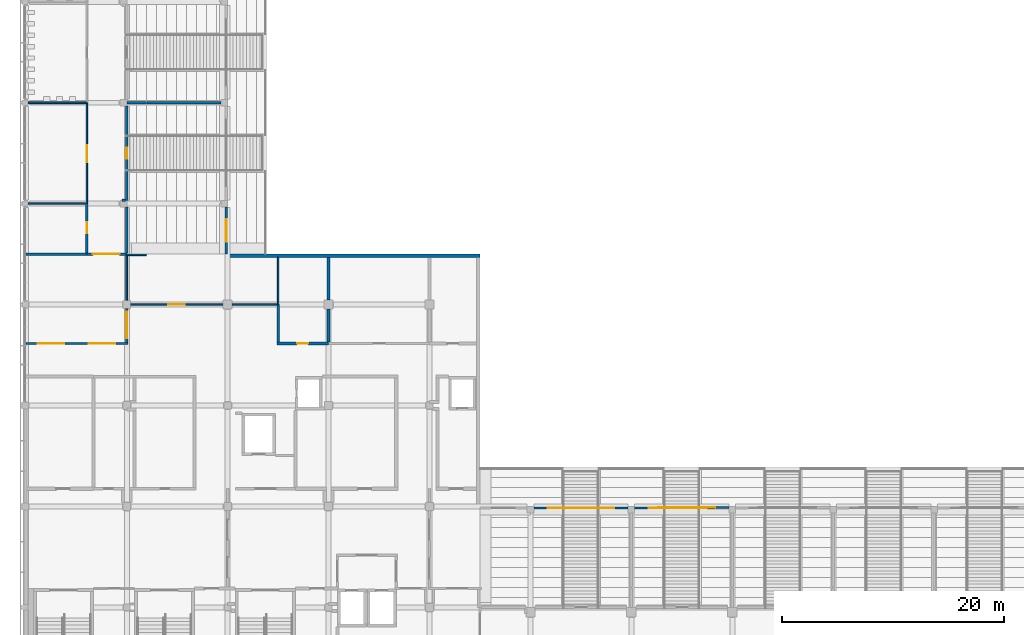
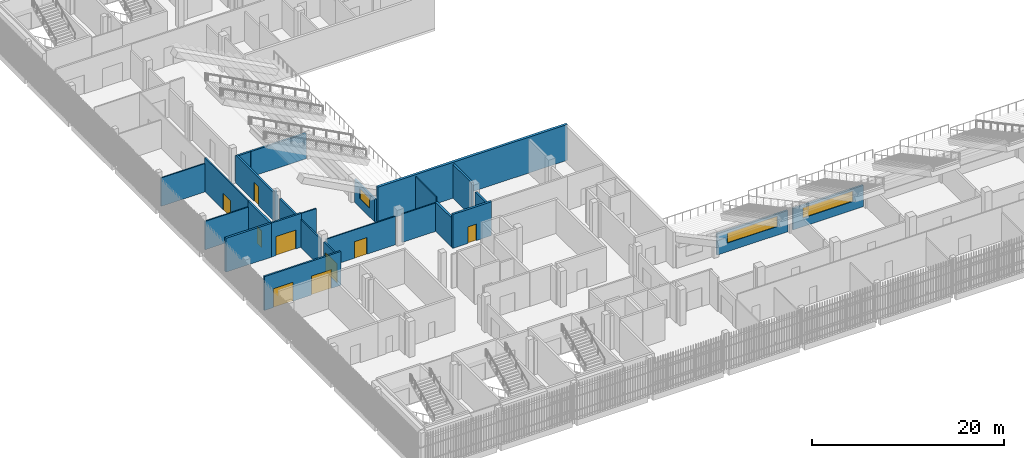
# One storey, part 76 of 139: 26 walls, 9 doors, 3 windows, 12 openings.
"""IFC4 building model written with IfcOpenShell, lengths in metres."""

from ifc_helpers import new_model, si_unit, direction, frame, frame_2d, origin, place, context, subcontext, project, spatial, rectangle, extrude, material, layer, layer_set, type_object, element, fill, save


model = new_model("IFC4")

# Units and contexts
model_context = context("Model", 3, precision=1e-05, world=origin(), true_north=direction((0.0, 1.0)))
body_context = subcontext(model_context, "Body", "Model", "MODEL_VIEW")
ifc_project = project(units=[si_unit("LENGTHUNIT", "METRE"), si_unit("AREAUNIT", "SQUARE_METRE"), si_unit("VOLUMEUNIT", "CUBIC_METRE"), si_unit("PLANEANGLEUNIT", "RADIAN"), si_unit("MASSUNIT", "GRAM", prefix="KILO")], contexts=[model_context])

# Site, building, storey
site_placement = place(None, origin())
site = spatial("IfcSite", under=ifc_project, at=site_placement, CompositionType="ELEMENT")
building_placement = place(site_placement, origin())
building = spatial("IfcBuilding", under=site, at=building_placement, Name="Shirokan Park Arena", CompositionType="ELEMENT")
storey_placement = place(building_placement, frame((0.0, 0.0, 15.469970703125)))
storey = spatial("IfcBuildingStorey", under=building, at=storey_placement, Name="L03", CompositionType="ELEMENT", Elevation=15.469970703125)

# Wall, opening, window
ifc_material_1 = material(Name="Cedar timber lining", Category="wood")
ifc_layer_1 = layer(ifc_material_1, 0.02001953125, Name="Cedar timber lining")
ifc_material_2 = material(Name="Plywood", Category="wood")
ifc_layer_2 = layer(ifc_material_2, 0.01806640625, Name="Plywood")
ifc_material_3 = material(Name="Mineral wool insulation")
ifc_layer_3 = layer(ifc_material_3, 0.14208984375, Name="Mineral wool insulation")
ifc_material_4 = material(Name="Gypsum board")
ifc_layer_4 = layer(ifc_material_4, 0.02001953125, Name="Gypsum board")
ifc_layer_set_1 = layer_set([ifc_layer_1, ifc_layer_2, ifc_layer_3, ifc_layer_4], Name="Cedar timber lining + Plywood + Mineral wool insulation + Gypsum board")
wall_type_1 = type_object("IfcWallType", Name="Bowl front wall 200", PredefinedType="PARTITIONING", material=ifc_layer_set_1)
wall_1_placement = place(storey_placement, frame((45.800048828125, 18.070068359375, 0.0), z_axis=(0.0, 0.0, 1.0), x_axis=(1.0, 0.0, 0.0)))
wall_1 = element("IfcWall", 1, at=wall_1_placement, inside=storey, type_object=wall_type_1, Name="Bowl front wall 200 L03", PredefinedType="PARTITIONING", context=body_context, shape_type="SweptSolid", body=[
    extrude(rectangle(XDim=8.5, YDim=0.199951171875, at=frame_2d((4.25, 0.0))), origin(), (0.0, 0.0, 1.0), 2.7099609375),
])
opening_1_placement = place(wall_1_placement, frame((1.25, 0.0, 1.10009765625)))
opening_1 = element("IfcOpeningElement", 2, at=opening_1_placement, cuts=wall_1, Name="Opening W8", PredefinedType="OPENING", context=body_context, shape_type="SweptSolid", body=[
    extrude(rectangle(XDim=6.0, YDim=1.300048828125, at=frame_2d((3.0, 0.64990234375))), frame((0.0, 0.10986328125, 0.0), z_axis=(0.0, -1.0, 0.0), x_axis=(1.0, 0.0, 0.0)), (0.0, 0.0, 1.0), 0.219970703125),
])
ifc_material_5 = material(Name="Aluminium frame with laminated glass", Category="aluminium")
window_type_1 = type_object("IfcWindowType", Name="Suite viewing window 6000 x 1300", PartitioningType="SINGLE_PANEL", PredefinedType="WINDOW", material=ifc_material_5)
window_1_placement = place(opening_1_placement, origin())
window_1 = element("IfcWindow", 3, at=window_1_placement, inside=storey, type_object=window_type_1, Name="Suite viewing window 6000 x 1300 L03", OverallHeight=1.300048828125, OverallWidth=6.0, PartitioningType="SINGLE_PANEL", PredefinedType="WINDOW", context=body_context, shape_type="SweptSolid", body=[
    extrude(rectangle(XDim=6.0, YDim=1.300048828125, at=frame_2d((3.0, 0.64990234375))), frame((0.0, 0.030029296875, 0.0), z_axis=(0.0, -1.0, 0.0), x_axis=(1.0, 0.0, 0.0)), (0.0, 0.0, 1.0), 0.06005859375),
])
fill(opening_1, window_1)

wall_2_placement = place(storey_placement, frame((54.89990234375, 18.071044921875, 0.0), z_axis=(0.0, 0.0, 1.0), x_axis=(0.999994544879, 0.003303061025, 0.0)))
wall_2 = element("IfcWall", 4, at=wall_2_placement, inside=storey, type_object=wall_type_1, Name="Bowl front wall 200 L03", PredefinedType="PARTITIONING", context=body_context, shape_type="SweptSolid", body=[
    extrude(rectangle(XDim=8.5, YDim=0.199951171875, at=frame_2d((4.25, 0.0))), origin(), (0.0, 0.0, 1.0), 2.7099609375),
])
opening_2_placement = place(wall_2_placement, frame((1.25, 0.0, 1.10009765625)))
opening_2 = element("IfcOpeningElement", 5, at=opening_2_placement, cuts=wall_2, Name="Opening W8", PredefinedType="OPENING", context=body_context, shape_type="SweptSolid", body=[
    extrude(rectangle(XDim=6.0, YDim=1.300048828125, at=frame_2d((3.0, 0.64990234375))), frame((0.0, 0.10986328125, 0.0), z_axis=(0.0, -1.0, 0.0), x_axis=(1.0, 0.0, 0.0)), (0.0, 0.0, 1.0), 0.219970703125),
])
window_2_placement = place(opening_2_placement, origin())
window_2 = element("IfcWindow", 6, at=window_2_placement, inside=storey, type_object=window_type_1, Name="Suite viewing window 6000 x 1300 L03", OverallHeight=1.300048828125, OverallWidth=6.0, PartitioningType="SINGLE_PANEL", PredefinedType="WINDOW", context=body_context, shape_type="SweptSolid", body=[
    extrude(rectangle(XDim=6.0, YDim=1.300048828125, at=frame_2d((3.0, 0.64990234375))), frame((0.0, 0.030029296875, 0.0), z_axis=(0.0, -1.0, 0.0), x_axis=(1.0, 0.0, 0.0)), (0.0, 0.0, 1.0), 0.06005859375),
])
fill(opening_2, window_2)

wall_3_placement = place(storey_placement, frame((18.070068359375, 45.199951171875, 0.0), z_axis=(0.0, 0.0, 1.0), x_axis=(0.0, -1.0, 0.0)))
wall_3 = element("IfcWall", 7, at=wall_3_placement, inside=storey, type_object=wall_type_1, Name="Bowl front wall 200 L03", PredefinedType="PARTITIONING", context=body_context, shape_type="SweptSolid", body=[
    extrude(rectangle(XDim=4.25, YDim=0.199951171875, at=frame_2d((2.125, 0.0))), origin(), (0.0, 0.0, 1.0), 2.909912109375),
])
opening_3_placement = place(wall_3_placement, frame((1.125, 0.0, 1.10009765625)))
opening_3 = element("IfcOpeningElement", 8, at=opening_3_placement, cuts=wall_3, Name="Opening W7", PredefinedType="OPENING", context=body_context, shape_type="SweptSolid", body=[
    extrude(rectangle(XDim=2.0, YDim=1.300048828125, at=frame_2d((1.0, 0.64990234375))), frame((0.0, 0.10986328125, 0.0), z_axis=(0.0, -1.0, 0.0), x_axis=(1.0, 0.0, 0.0)), (0.0, 0.0, 1.0), 0.219970703125),
])
window_type_2 = type_object("IfcWindowType", Name="Suite viewing window 2000 x 1300", PartitioningType="SINGLE_PANEL", PredefinedType="WINDOW", material=ifc_material_5)
window_3_placement = place(opening_3_placement, origin())
window_3 = element("IfcWindow", 9, at=window_3_placement, inside=storey, type_object=window_type_2, Name="Suite viewing window 2000 x 1300 L03", OverallHeight=1.300048828125, OverallWidth=2.0, PartitioningType="SINGLE_PANEL", PredefinedType="WINDOW", context=body_context, shape_type="SweptSolid", body=[
    extrude(rectangle(XDim=2.0, YDim=1.300048828125, at=frame_2d((1.0, 0.64990234375))), frame((0.0, 0.030029296875, 0.0), z_axis=(0.0, -1.0, 0.0), x_axis=(1.0, 0.0, 0.0)), (0.0, 0.0, 1.0), 0.06005859375),
])
fill(opening_3, window_3)

# Wall
ifc_material_6 = material(Name="Plaster")
ifc_layer_5 = layer(ifc_material_6, 0.014892578125, Name="Plaster")
ifc_material_7 = material(Name="Concrete blockwork", Category="masonry")
ifc_layer_6 = layer(ifc_material_7, 0.219970703125, Name="Concrete blockwork 220")
ifc_layer_7 = layer(ifc_material_6, 0.014892578125, Name="Plaster")
ifc_layer_set_2 = layer_set([ifc_layer_5, ifc_layer_6, ifc_layer_7], Name="Plaster + Concrete blockwork 220")
wall_type_2 = type_object("IfcWallType", Name="Compartment wall 250", PredefinedType="SOLIDWALL", material=ifc_layer_set_2)
wall_4_placement = place(storey_placement, frame((0.030029296875, 40.949951171875, 0.0), z_axis=(0.0, 0.0, 1.0), x_axis=(1.0, 0.0, 0.0)))
element("IfcWall", 10, at=wall_4_placement, inside=storey, type_object=wall_type_2, Name="Compartment wall 250 L03", PredefinedType="SOLIDWALL", context=body_context, shape_type="SweptSolid", body=[
    extrude(rectangle(XDim=5.469970703125, YDim=0.25, at=frame_2d((2.73486328125, 0.0))), origin(), (0.0, 0.0, 1.0), 4.300048828125),
])

# Wall, opening, door
wall_5_placement = place(storey_placement, frame((5.5, 41.074951171875, 0.0), z_axis=(0.0, 0.0, 1.0), x_axis=(0.0, 1.0, 0.0)))
wall_5 = element("IfcWall", 11, at=wall_5_placement, inside=storey, type_object=wall_type_2, Name="Compartment wall 250 L03", PredefinedType="SOLIDWALL", context=body_context, shape_type="SweptSolid", body=[
    extrude(rectangle(XDim=4.425048828125, YDim=0.25, at=frame_2d((2.21240234375, 0.0))), origin(), (0.0, 0.0, 1.0), 4.300048828125),
])
opening_4_placement = place(wall_5_placement, frame((1.75, 0.0, 0.0)))
opening_4 = element("IfcOpeningElement", 12, at=opening_4_placement, cuts=wall_5, Name="Opening D-3075", PredefinedType="OPENING", context=body_context, shape_type="SweptSolid", body=[
    extrude(rectangle(XDim=1.0, YDim=2.10009765625, at=frame_2d((0.5, 1.050048828125))), frame((0.0, 0.135009765625, 0.0), z_axis=(0.0, -1.0, 0.0), x_axis=(1.0, 0.0, 0.0)), (0.0, 0.0, 1.0), 0.27001953125),
])
ifc_material_8 = material(Name="Timber door set, fire resisting", Category="wood")
door_type_1 = type_object("IfcDoorType", Name="Door 1000 x 2100", OperationType="SINGLE_SWING_LEFT", PredefinedType="DOOR", material=ifc_material_8)
door_1_placement = place(opening_4_placement, origin())
door_1 = element("IfcDoor", 13, at=door_1_placement, inside=storey, type_object=door_type_1, Name="Door to Hospitality Store 3.41 D-3075", OperationType="SINGLE_SWING_LEFT", OverallHeight=2.10009765625, OverallWidth=1.0, PredefinedType="DOOR", context=body_context, shape_type="SweptSolid", body=[
    extrude(rectangle(XDim=1.0, YDim=2.10009765625, at=frame_2d((0.5, 1.050048828125))), frame((0.0, 0.02490234375, 0.0), z_axis=(0.0, -1.0, 0.0), x_axis=(1.0, 0.0, 0.0)), (0.0, 0.0, 1.0), 0.050048828125),
])
fill(opening_4, door_1)

# Wall
wall_6_placement = place(storey_placement, frame((22.75, 33.02490234375, 0.0), z_axis=(0.0, 0.0, 1.0), x_axis=(0.0, 1.0, 0.0)))
element("IfcWall", 14, at=wall_6_placement, inside=storey, type_object=wall_type_2, Name="Compartment wall 250 L03", PredefinedType="SOLIDWALL", context=body_context, shape_type="SweptSolid", body=[
    extrude(rectangle(XDim=3.375, YDim=0.25, at=frame_2d((1.6875, 0.0))), origin(), (0.0, 0.0, 1.0), 3.699951171875),
])

# Wall, opening, door
wall_7_placement = place(storey_placement, frame((27.300048828125, 32.89990234375, 0.0), z_axis=(0.0, 0.0, 1.0), x_axis=(-1.0, 0.0, 0.0)))
wall_7 = element("IfcWall", 15, at=wall_7_placement, inside=storey, type_object=wall_type_2, Name="Compartment wall 250 L03", PredefinedType="SOLIDWALL", context=body_context, shape_type="SweptSolid", body=[
    extrude(rectangle(XDim=4.675048828125, YDim=0.25, at=frame_2d((2.33740234375, 0.0))), origin(), (0.0, 0.0, 1.0), 4.300048828125),
])
opening_5_placement = place(wall_7_placement, frame((1.85009765625, 0.0, 0.0)))
opening_5 = element("IfcOpeningElement", 16, at=opening_5_placement, cuts=wall_7, Name="Opening D-3010", PredefinedType="OPENING", context=body_context, shape_type="SweptSolid", body=[
    extrude(rectangle(XDim=1.0, YDim=2.10009765625, at=frame_2d((0.5, 1.050048828125))), frame((0.0, 0.135009765625, 0.0), z_axis=(0.0, -1.0, 0.0), x_axis=(1.0, 0.0, 0.0)), (0.0, 0.0, 1.0), 0.27001953125),
])
door_2_placement = place(opening_5_placement, origin())
door_2 = element("IfcDoor", 17, at=door_2_placement, inside=storey, type_object=door_type_1, Name="Door to Suite Linen Store 3.12 D-3010", OperationType="SINGLE_SWING_RIGHT", OverallHeight=2.10009765625, OverallWidth=1.0, PredefinedType="DOOR", context=body_context, shape_type="SweptSolid", body=[
    extrude(rectangle(XDim=1.0, YDim=2.10009765625, at=frame_2d((0.5, 1.050048828125))), frame((0.0, 0.02490234375, 0.0), z_axis=(0.0, -1.0, 0.0), x_axis=(1.0, 0.0, 0.0)), (0.0, 0.0, 1.0), 0.050048828125),
])
fill(opening_5, door_2)

# Walls
wall_8_placement = place(storey_placement, frame((27.300048828125, 36.0, 0.0), z_axis=(0.0, 0.0, 1.0), x_axis=(0.0, -1.0, 0.0)))
element("IfcWall", 18, at=wall_8_placement, inside=storey, type_object=wall_type_2, Name="Compartment wall 250 L03", PredefinedType="SOLIDWALL", context=body_context, shape_type="SweptSolid", body=[
    extrude(rectangle(XDim=2.97509765625, YDim=0.25, at=frame_2d((1.487548828125, 0.0))), origin(), (0.0, 0.0, 1.0), 3.60009765625),
])
wall_9_placement = place(storey_placement, frame((27.300048828125, 40.64990234375, 0.0), z_axis=(0.0, 0.0, 1.0), x_axis=(0.0, -1.0, 0.0)))
element("IfcWall", 19, at=wall_9_placement, inside=storey, type_object=wall_type_2, Name="Compartment wall 250 L03", PredefinedType="SOLIDWALL", context=body_context, shape_type="SweptSolid", body=[
    extrude(rectangle(XDim=3.849853515625, YDim=0.25, at=frame_2d((1.9248046875, 0.0))), origin(), (0.0, 0.0, 1.0), 4.300048828125),
])

# Wall, openings, doors
ifc_layer_8 = layer(ifc_material_4, 0.02490234375, Name="Gypsum board, two layers")
ifc_layer_9 = layer(ifc_material_3, 0.14990234375, Name="Mineral wool insulation")
ifc_layer_10 = layer(ifc_material_4, 0.02490234375, Name="Gypsum board, two layers")
ifc_layer_set_3 = layer_set([ifc_layer_8, ifc_layer_9, ifc_layer_10], Name="Gypsum board, two layers + Mineral wool insulation")
wall_type_3 = type_object("IfcWallType", Name="Corridor wall 200", PredefinedType="PARTITIONING", material=ifc_layer_set_3)
wall_10_placement = place(storey_placement, frame((0.030029296875, 32.89990234375, 0.0), z_axis=(0.0, 0.0, 1.0), x_axis=(1.0, 0.0, 0.0)))
wall_10 = element("IfcWall", 20, at=wall_10_placement, inside=storey, type_object=wall_type_3, Name="Corridor wall 200 L03", PredefinedType="PARTITIONING", context=body_context, shape_type="SweptSolid", body=[
    extrude(rectangle(XDim=9.169921875, YDim=0.199951171875, at=frame_2d((4.5849609375, 0.0))), origin(), (0.0, 0.0, 1.0), 4.300048828125),
])
opening_6_placement = place(wall_10_placement, frame((1.050048828125, 0.0, 0.0)))
opening_6 = element("IfcOpeningElement", 21, at=opening_6_placement, cuts=wall_10, Name="Opening D-3081", PredefinedType="OPENING", context=body_context, shape_type="SweptSolid", body=[
    extrude(rectangle(XDim=2.39990234375, YDim=2.39990234375, at=frame_2d((1.199951171875, 1.199951171875))), frame((0.0, 0.10986328125, 0.0), z_axis=(0.0, -1.0, 0.0), x_axis=(1.0, 0.0, 0.0)), (0.0, 0.0, 1.0), 0.219970703125),
])
opening_7_placement = place(wall_10_placement, frame((5.64990234375, 0.0, 0.0)))
opening_7 = element("IfcOpeningElement", 22, at=opening_7_placement, cuts=wall_10, Name="Opening D-3082", PredefinedType="OPENING", context=body_context, shape_type="SweptSolid", body=[
    extrude(rectangle(XDim=2.39990234375, YDim=2.39990234375, at=frame_2d((1.199951171875, 1.199951171875))), frame((0.0, 0.10986328125, 0.0), z_axis=(0.0, -1.0, 0.0), x_axis=(1.0, 0.0, 0.0)), (0.0, 0.0, 1.0), 0.219970703125),
])
ifc_material_9 = material(Name="Steel door set, fire resisting", Category="steel")
door_type_2 = type_object("IfcDoorType", Name="Double door 2400 x 2400", OperationType="DOUBLE_DOOR_SINGLE_SWING", PredefinedType="DOOR", material=ifc_material_9)
door_3_placement = place(opening_6_placement, origin())
door_3 = element("IfcDoor", 23, at=door_3_placement, inside=storey, type_object=door_type_2, Name="Door between Service Corridor 1.3 and Concourse Link 1.3 D-3081", OperationType="DOUBLE_DOOR_SINGLE_SWING", OverallHeight=2.39990234375, OverallWidth=2.39990234375, PredefinedType="DOOR", context=body_context, shape_type="SweptSolid", body=[
    extrude(rectangle(XDim=2.39990234375, YDim=2.39990234375, at=frame_2d((1.199951171875, 1.199951171875))), frame((0.0, 0.02490234375, 0.0), z_axis=(0.0, -1.0, 0.0), x_axis=(1.0, 0.0, 0.0)), (0.0, 0.0, 1.0), 0.050048828125),
])
fill(opening_6, door_3)
door_4_placement = place(opening_7_placement, origin())
door_4 = element("IfcDoor", 24, at=door_4_placement, inside=storey, type_object=door_type_2, Name="Door between Service Corridor 1.3 and Concourse Link 1.3 D-3082", OperationType="DOUBLE_DOOR_SINGLE_SWING", OverallHeight=2.39990234375, OverallWidth=2.39990234375, PredefinedType="DOOR", context=body_context, shape_type="SweptSolid", body=[
    extrude(rectangle(XDim=2.39990234375, YDim=2.39990234375, at=frame_2d((1.199951171875, 1.199951171875))), frame((0.0, 0.02490234375, 0.0), z_axis=(0.0, -1.0, 0.0), x_axis=(1.0, 0.0, 0.0)), (0.0, 0.0, 1.0), 0.050048828125),
])
fill(opening_7, door_4)

# Wall, opening, door
wall_11_placement = place(storey_placement, frame((5.5, 40.949951171875, 0.0), z_axis=(0.0, 0.0, 1.0), x_axis=(1.0, 0.0, 0.0)))
wall_11 = element("IfcWall", 25, at=wall_11_placement, inside=storey, type_object=wall_type_3, Name="Corridor wall 200 L03", PredefinedType="PARTITIONING", context=body_context, shape_type="SweptSolid", body=[
    extrude(rectangle(XDim=3.60009765625, YDim=0.199951171875, at=frame_2d((1.800048828125, 0.0))), origin(), (0.0, 0.0, 1.0), 4.300048828125),
])
opening_8_placement = place(wall_11_placement, frame((0.550048828125, 0.0, 0.0)))
opening_8 = element("IfcOpeningElement", 26, at=opening_8_placement, cuts=wall_11, Name="Opening D-3094", PredefinedType="OPENING", context=body_context, shape_type="SweptSolid", body=[
    extrude(rectangle(XDim=2.39990234375, YDim=2.39990234375, at=frame_2d((1.199951171875, 1.199951171875))), frame((0.0, 0.10986328125, 0.0), z_axis=(0.0, -1.0, 0.0), x_axis=(1.0, 0.0, 0.0)), (0.0, 0.0, 1.0), 0.219970703125),
])
door_5_placement = place(opening_8_placement, origin())
door_5 = element("IfcDoor", 27, at=door_5_placement, inside=storey, type_object=door_type_2, Name="Door between Concourse Link 1.3 and Suite Corridor 3.04 D-3094", OperationType="DOUBLE_DOOR_SINGLE_SWING", OverallHeight=2.39990234375, OverallWidth=2.39990234375, PredefinedType="DOOR", context=body_context, shape_type="SweptSolid", body=[
    extrude(rectangle(XDim=2.39990234375, YDim=2.39990234375, at=frame_2d((1.199951171875, 1.199951171875))), frame((0.0, 0.02490234375, 0.0), z_axis=(0.0, -1.0, 0.0), x_axis=(1.0, 0.0, 0.0)), (0.0, 0.0, 1.0), 0.050048828125),
])
fill(opening_8, door_5)

wall_12_placement = place(storey_placement, frame((9.10009765625, 33.0, 0.0), z_axis=(0.0, 0.0, 1.0), x_axis=(0.0, 1.0, 0.0)))
wall_12 = element("IfcWall", 28, at=wall_12_placement, inside=storey, type_object=wall_type_3, Name="Corridor wall 200 L03", PredefinedType="PARTITIONING", context=body_context, shape_type="SweptSolid", body=[
    extrude(rectangle(XDim=3.050048828125, YDim=0.199951171875, at=frame_2d((1.52490234375, 0.0))), origin(), (0.0, 0.0, 1.0), 3.60009765625),
])
opening_9_placement = place(wall_12_placement, frame((0.35009765625, 0.0, 0.0)))
opening_9 = element("IfcOpeningElement", 29, at=opening_9_placement, cuts=wall_12, Name="Opening D-3083", PredefinedType="OPENING", context=body_context, shape_type="SweptSolid", body=[
    extrude(rectangle(XDim=2.39990234375, YDim=2.39990234375, at=frame_2d((1.199951171875, 1.199951171875))), frame((0.0, 0.10986328125, 0.0), z_axis=(0.0, -1.0, 0.0), x_axis=(1.0, 0.0, 0.0)), (0.0, 0.0, 1.0), 0.219970703125),
])
door_6_placement = place(opening_9_placement, origin())
door_6 = element("IfcDoor", 30, at=door_6_placement, inside=storey, type_object=door_type_2, Name="Door between Service Corridor 1.3 and Concourse Link 1.3 D-3083", OperationType="DOUBLE_DOOR_SINGLE_SWING", OverallHeight=2.39990234375, OverallWidth=2.39990234375, PredefinedType="DOOR", context=body_context, shape_type="SweptSolid", body=[
    extrude(rectangle(XDim=2.39990234375, YDim=2.39990234375, at=frame_2d((1.199951171875, 1.199951171875))), frame((0.0, 0.02490234375, 0.0), z_axis=(0.0, -1.0, 0.0), x_axis=(1.0, 0.0, 0.0)), (0.0, 0.0, 1.0), 0.050048828125),
])
fill(opening_9, door_6)

# Walls
ifc_material_10 = material(Name="Ceramic tile")
ifc_layer_11 = layer(ifc_material_10, 0.010009765625, Name="Ceramic tile")
ifc_material_11 = material(Name="Render")
ifc_layer_12 = layer(ifc_material_11, 0.010009765625, Name="Render")
ifc_layer_13 = layer(ifc_material_7, 0.10009765625, Name="Concrete blockwork 100")
ifc_layer_14 = layer(ifc_material_11, 0.010009765625, Name="Render")
ifc_layer_15 = layer(ifc_material_10, 0.010009765625, Name="Ceramic tile")
ifc_layer_set_4 = layer_set([ifc_layer_11, ifc_layer_12, ifc_layer_13, ifc_layer_14, ifc_layer_15], Name="Ceramic tile + Render + Concrete blockwork 100")
wall_type_4 = type_object("IfcWallType", Name="Kitchen wall 140", PredefinedType="SOLIDWALL", material=ifc_layer_set_4)
wall_13_placement = place(storey_placement, frame((0.175048828125, 45.5, 0.0), z_axis=(0.0, 0.0, 1.0), x_axis=(1.0, 0.0, 0.0)))
element("IfcWall", 31, at=wall_13_placement, inside=storey, type_object=wall_type_4, Name="Kitchen wall 140 L03", PredefinedType="SOLIDWALL", context=body_context, shape_type="SweptSolid", body=[
    extrude(rectangle(XDim=5.199951171875, YDim=0.139892578125, at=frame_2d((2.60009765625, 0.0))), origin(), (0.0, 0.0, 1.0), 3.60009765625),
])
wall_14_placement = place(storey_placement, frame((0.175048828125, 54.60009765625, 0.0), z_axis=(0.0, 0.0, 1.0), x_axis=(1.0, 0.0, 0.0)))
element("IfcWall", 32, at=wall_14_placement, inside=storey, type_object=wall_type_4, Name="Kitchen wall 140 L03", PredefinedType="SOLIDWALL", context=body_context, shape_type="SweptSolid", body=[
    extrude(rectangle(XDim=5.2548828125, YDim=0.139892578125, at=frame_2d((2.62744140625, 0.0))), origin(), (0.0, 0.0, 1.0), 3.60009765625),
])

# Wall, opening, door
wall_15_placement = place(storey_placement, frame((5.5, 45.5, 0.0), z_axis=(0.0, 0.0, 1.0), x_axis=(0.0, 1.0, 0.0)))
wall_15 = element("IfcWall", 33, at=wall_15_placement, inside=storey, type_object=wall_type_4, Name="Kitchen wall 140 L03", PredefinedType="SOLIDWALL", context=body_context, shape_type="SweptSolid", body=[
    extrude(rectangle(XDim=9.10009765625, YDim=0.139892578125, at=frame_2d((4.550048828125, 0.0))), origin(), (0.0, 0.0, 1.0), 4.300048828125),
])
opening_10_placement = place(wall_15_placement, frame((3.75, 0.0, 0.0)))
opening_10 = element("IfcOpeningElement", 34, at=opening_10_placement, cuts=wall_15, Name="Opening D-3076", PredefinedType="OPENING", context=body_context, shape_type="SweptSolid", body=[
    extrude(rectangle(XDim=1.5, YDim=2.10009765625, at=frame_2d((0.75, 1.050048828125))), frame((0.0, 0.079833984375, 0.0), z_axis=(0.0, -1.0, 0.0), x_axis=(1.0, 0.0, 0.0)), (0.0, 0.0, 1.0), 0.159912109375),
])
ifc_material_12 = material(Name="Stainless steel door set, fire resisting", Category="steel")
door_type_3 = type_object("IfcDoorType", Name="Kitchen door 1500 x 2100", OperationType="DOUBLE_DOOR_SINGLE_SWING", PredefinedType="DOOR", material=ifc_material_12)
door_7_placement = place(opening_10_placement, origin())
door_7 = element("IfcDoor", 35, at=door_7_placement, inside=storey, type_object=door_type_3, Name="Door to Suite Pantry 3.42 D-3076", OperationType="DOUBLE_DOOR_SINGLE_SWING", OverallHeight=2.10009765625, OverallWidth=1.5, PredefinedType="DOOR", context=body_context, shape_type="SweptSolid", body=[
    extrude(rectangle(XDim=1.5, YDim=2.10009765625, at=frame_2d((0.75, 1.050048828125))), frame((0.0, 0.02490234375, 0.0), z_axis=(0.0, -1.0, 0.0), x_axis=(1.0, 0.0, 0.0)), (0.0, 0.0, 1.0), 0.050048828125),
])
fill(opening_10, door_7)

# Walls
wall_16_placement = place(storey_placement, frame((9.10009765625, 36.75, 0.0), z_axis=(0.0, 0.0, 1.0), x_axis=(0.0, 1.0, 0.0)))
element("IfcWall", 36, at=wall_16_placement, inside=storey, type_object=wall_type_4, Name="Kitchen wall 140 L03", PredefinedType="SOLIDWALL", context=body_context, shape_type="SweptSolid", body=[
    extrude(rectangle(XDim=4.10009765625, YDim=0.139892578125, at=frame_2d((2.050048828125, 0.0))), origin(), (0.0, 0.0, 1.0), 3.550048828125),
])
wall_17_placement = place(storey_placement, frame((9.10009765625, 40.87890625, 0.0), z_axis=(0.0, 0.0, 1.0), x_axis=(1.0, 0.0, 0.0)))
element("IfcWall", 37, at=wall_17_placement, inside=storey, type_object=wall_type_4, Name="Kitchen wall 140 L03", PredefinedType="SOLIDWALL", context=body_context, shape_type="SweptSolid", body=[
    extrude(rectangle(XDim=1.77001953125, YDim=0.139892578125, at=frame_2d((0.885009765625, 0.0))), origin(), (0.0, 0.0, 1.0), 4.300048828125),
])

# Wall, opening, door
wall_18_placement = place(storey_placement, frame((17.800048828125, 36.39990234375, 0.0), z_axis=(0.0, 0.0, 1.0), x_axis=(-1.0, 0.0, 0.0)))
wall_18 = element("IfcWall", 38, at=wall_18_placement, inside=storey, type_object=wall_type_4, Name="Kitchen wall 140 L03", PredefinedType="SOLIDWALL", context=body_context, shape_type="SweptSolid", body=[
    extrude(rectangle(XDim=8.35009765625, YDim=0.139892578125, at=frame_2d((4.175048828125, 0.0))), origin(), (0.0, 0.0, 1.0), 3.60009765625),
])
opening_11_placement = place(wall_18_placement, frame((3.449951171875, 0.0, 0.0)))
opening_11 = element("IfcOpeningElement", 39, at=opening_11_placement, cuts=wall_18, Name="Opening D-3009", PredefinedType="OPENING", context=body_context, shape_type="SweptSolid", body=[
    extrude(rectangle(XDim=1.5, YDim=2.10009765625, at=frame_2d((0.75, 1.050048828125))), frame((0.0, 0.079833984375, 0.0), z_axis=(0.0, -1.0, 0.0), x_axis=(1.0, 0.0, 0.0)), (0.0, 0.0, 1.0), 0.159912109375),
])
door_8_placement = place(opening_11_placement, origin())
door_8 = element("IfcDoor", 40, at=door_8_placement, inside=storey, type_object=door_type_3, Name="Door to Hospitality Catering Kitchen 3.11 D-3009", OperationType="DOUBLE_DOOR_SINGLE_SWING", OverallHeight=2.10009765625, OverallWidth=1.5, PredefinedType="DOOR", context=body_context, shape_type="SweptSolid", body=[
    extrude(rectangle(XDim=1.5, YDim=2.10009765625, at=frame_2d((0.75, 1.050048828125))), frame((0.0, 0.02490234375, 0.0), z_axis=(0.0, -1.0, 0.0), x_axis=(1.0, 0.0, 0.0)), (0.0, 0.0, 1.0), 0.050048828125),
])
fill(opening_11, door_8)

# Walls
wall_19_placement = place(storey_placement, frame((22.625, 36.39990234375, 0.0), z_axis=(0.0, 0.0, 1.0), x_axis=(-1.0, 0.0, 0.0)))
element("IfcWall", 41, at=wall_19_placement, inside=storey, type_object=wall_type_4, Name="Kitchen wall 140 L03", PredefinedType="SOLIDWALL", context=body_context, shape_type="SweptSolid", body=[
    extrude(rectangle(XDim=4.02490234375, YDim=0.139892578125, at=frame_2d((2.012451171875, 0.0))), origin(), (0.0, 0.0, 1.0), 3.60009765625),
])
wall_20_placement = place(storey_placement, frame((22.75, 40.64990234375, 0.0), z_axis=(0.0, 0.0, 1.0), x_axis=(0.0, -1.0, 0.0)))
element("IfcWall", 42, at=wall_20_placement, inside=storey, type_object=wall_type_4, Name="Kitchen wall 140 L03", PredefinedType="SOLIDWALL", context=body_context, shape_type="SweptSolid", body=[
    extrude(rectangle(XDim=4.25, YDim=0.139892578125, at=frame_2d((2.125, 0.0))), origin(), (0.0, 0.0, 1.0), 4.300048828125),
])
ifc_material_13 = material(Name="Concrete C35", Category="concrete")
ifc_layer_16 = layer(ifc_material_13, 0.300048828125)
ifc_layer_set_5 = layer_set([ifc_layer_16], Name="Concrete C35 300 mm")
wall_type_5 = type_object("IfcWallType", Name="RC flank wall 300", PredefinedType="SHEAR", material=ifc_layer_set_5)
wall_21_placement = place(storey_placement, frame((40.949951171875, 40.800048828125, 0.0), z_axis=(0.0, 0.0, 1.0), x_axis=(-1.0, 0.0, 0.0)))
element("IfcWall", 43, at=wall_21_placement, inside=storey, type_object=wall_type_5, Name="Flank wall W1 L03", PredefinedType="SHEAR", context=body_context, shape_type="SweptSolid", body=[
    extrude(rectangle(XDim=22.75, YDim=0.300048828125, at=frame_2d((11.375, 0.0))), origin(), (0.0, 0.0, 1.0), 4.550048828125),
])
ifc_layer_17 = layer(ifc_material_4, 0.02490234375, Name="Gypsum board, two layers")
ifc_layer_18 = layer(ifc_material_3, 0.074951171875, Name="Mineral wool insulation")
ifc_material_14 = material(Name="Air cavity")
ifc_layer_19 = layer(ifc_material_14, 0.02490234375, Name="Air cavity")
ifc_layer_20 = layer(ifc_material_3, 0.074951171875, Name="Mineral wool insulation")
ifc_layer_21 = layer(ifc_material_4, 0.02490234375, Name="Gypsum board, two layers")
ifc_layer_set_6 = layer_set([ifc_layer_17, ifc_layer_18, ifc_layer_19, ifc_layer_20, ifc_layer_21], Name="Gypsum board, two layers + Mineral wool insulation + Air cavity")
wall_type_6 = type_object("IfcWallType", Name="Suite party wall 225", PredefinedType="PARTITIONING", material=ifc_layer_set_6)
wall_22_placement = place(storey_placement, frame((8.97509765625, 45.800048828125, 0.0), z_axis=(0.0, 0.0, 1.0), x_axis=(-1.0, 0.0, 0.0)))
element("IfcWall", 44, at=wall_22_placement, inside=storey, type_object=wall_type_6, Name="Suite party wall 225 L03", PredefinedType="PARTITIONING", context=body_context, shape_type="SweptSolid", body=[
    extrude(rectangle(XDim=0.300048828125, YDim=0.22509765625, at=frame_2d((0.14990234375, 0.0))), origin(), (0.0, 0.0, 1.0), 4.300048828125),
])
wall_23_placement = place(storey_placement, frame((9.10009765625, 45.199951171875, 0.0), z_axis=(0.0, 0.0, 1.0), x_axis=(0.0, -1.0, 0.0)))
element("IfcWall", 45, at=wall_23_placement, inside=storey, type_object=wall_type_6, Name="Suite party wall 225 L03", PredefinedType="PARTITIONING", context=body_context, shape_type="SweptSolid", body=[
    extrude(rectangle(XDim=4.14990234375, YDim=0.22509765625, at=frame_2d((2.074951171875, 0.0))), origin(), (0.0, 0.0, 1.0), 3.550048828125),
])

# Wall, opening, door
wall_24_placement = place(storey_placement, frame((9.10009765625, 54.300048828125, 0.0), z_axis=(0.0, 0.0, 1.0), x_axis=(0.0, -1.0, 0.0)))
wall_24 = element("IfcWall", 46, at=wall_24_placement, inside=storey, type_object=wall_type_6, Name="Suite party wall 225 L03", PredefinedType="PARTITIONING", context=body_context, shape_type="SweptSolid", body=[
    extrude(rectangle(XDim=8.5, YDim=0.22509765625, at=frame_2d((4.25, 0.0))), origin(), (0.0, 0.0, 1.0), 3.550048828125),
])
opening_12_placement = place(wall_24_placement, frame((3.75, 0.0, 0.0)))
opening_12 = element("IfcOpeningElement", 47, at=opening_12_placement, cuts=wall_24, Name="Opening D-3079", PredefinedType="OPENING", context=body_context, shape_type="SweptSolid", body=[
    extrude(rectangle(XDim=1.0, YDim=2.39990234375, at=frame_2d((0.5, 1.199951171875))), frame((0.0, 0.12255859375, 0.0), z_axis=(0.0, -1.0, 0.0), x_axis=(1.0, 0.0, 0.0)), (0.0, 0.0, 1.0), 0.2451171875),
])
ifc_material_15 = material(Name="Glazed timber door set, fire resisting", Category="wood")
door_type_4 = type_object("IfcDoorType", Name="Suite door 1000 x 2400", OperationType="SINGLE_SWING_LEFT", PredefinedType="DOOR", material=ifc_material_15)
door_9_placement = place(opening_12_placement, origin())
door_9 = element("IfcDoor", 48, at=door_9_placement, inside=storey, type_object=door_type_4, Name="Door to Hospitality Suite 3.41 D-3079", OperationType="SINGLE_SWING_RIGHT", OverallHeight=2.39990234375, OverallWidth=1.0, PredefinedType="DOOR", context=body_context, shape_type="SweptSolid", body=[
    extrude(rectangle(XDim=1.0, YDim=2.39990234375, at=frame_2d((0.5, 1.199951171875))), frame((0.0, 0.02490234375, 0.0), z_axis=(0.0, -1.0, 0.0), x_axis=(1.0, 0.0, 0.0)), (0.0, 0.0, 1.0), 0.050048828125),
])
fill(opening_12, door_9)

# Walls
wall_25_placement = place(storey_placement, frame((9.10009765625, 54.60009765625, 0.0), z_axis=(0.0, 0.0, 1.0), x_axis=(1.0, 0.0, 0.0)))
element("IfcWall", 49, at=wall_25_placement, inside=storey, type_object=wall_type_6, Name="Suite party wall 225 L03", PredefinedType="PARTITIONING", context=body_context, shape_type="SweptSolid", body=[
    extrude(rectangle(XDim=1.77001953125, YDim=0.22509765625, at=frame_2d((0.885009765625, 0.0))), origin(), (0.0, 0.0, 1.0), 3.219970703125),
])
wall_26_placement = place(storey_placement, frame((10.929931640625, 54.60009765625, 0.0), z_axis=(0.0, 0.0, 1.0), x_axis=(1.0, 0.0, 0.0)))
element("IfcWall", 50, at=wall_26_placement, inside=storey, type_object=wall_type_6, Name="Suite party wall 225 L03", PredefinedType="PARTITIONING", context=body_context, shape_type="SweptSolid", body=[
    extrude(rectangle(XDim=6.670166015625, YDim=0.22509765625, at=frame_2d((3.3349609375, 0.0))), origin(), (0.0, 0.0, 1.0), 3.219970703125),
])

save(model, "model.ifc")
